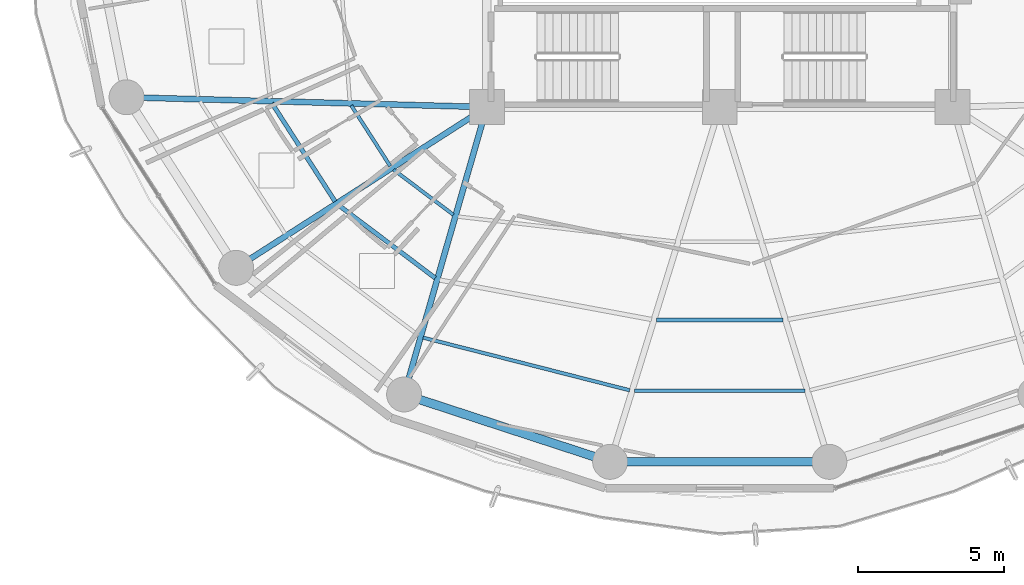
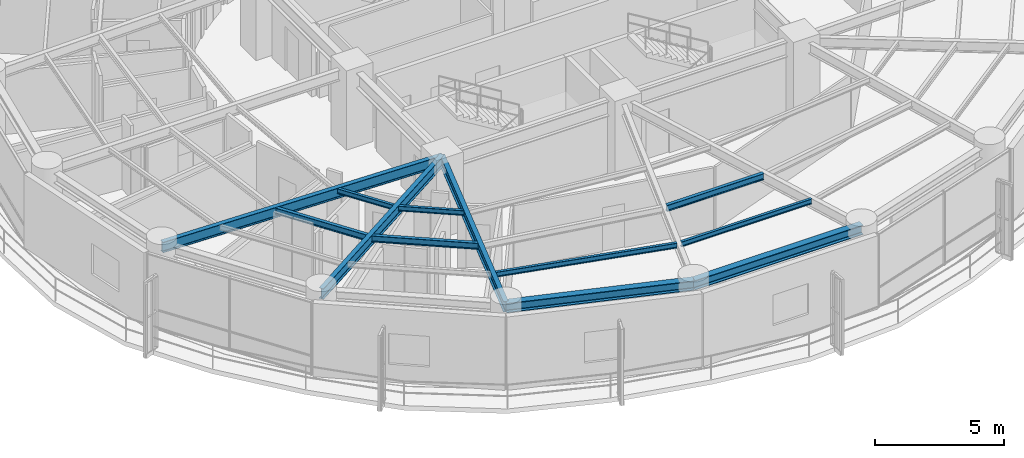
# One storey, part 3 of 27: 12 beams.
"""IFC4 building model written with IfcOpenShell, lengths in metres."""

from ifc_helpers import new_model, si_unit, direction, frame, origin, origin_2d, place, context, subcontext, project, spatial, i_section, extrude, material, material_profile, profile_set, type_object, element, save


model = new_model("IFC4")

# Units and contexts
model_context = context("Model", 3, precision=1e-05, world=origin(), true_north=direction((0.0, 1.0)))
body_context = subcontext(model_context, "Body", "Model", "MODEL_VIEW")
ifc_project = project(units=[si_unit("LENGTHUNIT", "METRE"), si_unit("AREAUNIT", "SQUARE_METRE"), si_unit("VOLUMEUNIT", "CUBIC_METRE"), si_unit("PLANEANGLEUNIT", "RADIAN"), si_unit("MASSUNIT", "GRAM", prefix="KILO")], contexts=[model_context])

# Site, building, storey
site_placement = place(None, origin())
site = spatial("IfcSite", under=ifc_project, at=site_placement, CompositionType="ELEMENT")
building_placement = place(site_placement, origin())
building = spatial("IfcBuilding", under=site, at=building_placement, Name="Kelanora Arch Commons", CompositionType="ELEMENT")
storey_placement = place(building_placement, frame((0.0, 0.0, 173.10009765625)))
storey = spatial("IfcBuildingStorey", under=building, at=storey_placement, Name="L44", CompositionType="ELEMENT", Elevation=173.10009765625)

# Beams
ifc_material = material(Name="Steel S355", Category="steel")
ifc_material_profile_1 = material_profile(ifc_material, i_section(OverallWidth=0.14990234375, OverallDepth=0.300048828125, WebThickness=0.007080078125, FlangeThickness=0.0107421875, FilletRadius=0.014892578125, at=origin_2d()), Name="IPE300")
ifc_profile_set_1 = profile_set([ifc_material_profile_1], Name="Steel S355")
beam_type_1 = type_object("IfcBeamType", Name="BM-JST-01", PredefinedType="JOIST", material=ifc_profile_set_1)
beam_1_placement = place(storey_placement, frame((58.622314453125, 51.130859375, 3.33984375), z_axis=(0.540594434398, -0.841283339606, 0.0), x_axis=(0.841283339606, 0.540594434398, 0.0)))
element("IfcBeam", 1, at=beam_1_placement, inside=storey, type_object=beam_type_1, Name="Secondary Chord Joist BJB-20 L44", PredefinedType="JOIST", context=body_context, shape_type="SweptSolid", body=[
    extrude(i_section(OverallWidth=0.14990234375, OverallDepth=0.300048828125, WebThickness=0.007080078125, FlangeThickness=0.0107421875, FilletRadius=0.014892578125, at=origin_2d()), origin(), (0.0, 0.0, 1.0), 4.008544921875),
])
beam_2_placement = place(storey_placement, frame((60.9033203125, 47.635986328125, 3.33984375), z_axis=(0.798463547891, -0.602043156833, 0.0), x_axis=(0.602043156833, 0.798463547891, 0.0)))
element("IfcBeam", 2, at=beam_2_placement, inside=storey, type_object=beam_type_1, Name="Secondary Chord Joist BJB-22 L44", PredefinedType="JOIST", context=body_context, shape_type="SweptSolid", body=[
    extrude(i_section(OverallWidth=0.14990234375, OverallDepth=0.300048828125, WebThickness=0.007080078125, FlangeThickness=0.0107421875, FilletRadius=0.014892578125, at=origin_2d()), origin(), (0.0, 0.0, 1.0), 4.163818359375),
])
beam_3_placement = place(storey_placement, frame((71.826171875, 43.689453125, 3.33984375), z_axis=(1.0, 0.0, 0.0), x_axis=(0.0, 1.0, 0.0)))
element("IfcBeam", 3, at=beam_3_placement, inside=storey, type_object=beam_type_1, Name="Secondary Chord Joist BJB-26 L44", PredefinedType="JOIST", context=body_context, shape_type="SweptSolid", body=[
    extrude(i_section(OverallWidth=0.14990234375, OverallDepth=0.300048828125, WebThickness=0.007080078125, FlangeThickness=0.0107421875, FilletRadius=0.014892578125, at=origin_2d()), origin(), (0.0, 0.0, 1.0), 4.34765625),
])
ifc_material_profile_2 = material_profile(ifc_material, i_section(OverallWidth=0.1201171875, OverallDepth=0.239990234375, WebThickness=0.006103515625, FlangeThickness=0.009765625, FilletRadius=0.014892578125, at=origin_2d()), Name="IPE240")
ifc_profile_set_2 = profile_set([ifc_material_profile_2], Name="Steel S355")
beam_type_2 = type_object("IfcBeamType", Name="BM-JST-02", PredefinedType="JOIST", material=ifc_profile_set_2)
beam_4_placement = place(storey_placement, frame((61.344482421875, 51.056640625, 3.369873046875), z_axis=(0.540583174025, -0.841290575224, 0.0), x_axis=(0.841290575224, 0.540583174025, 0.0)))
element("IfcBeam", 4, at=beam_4_placement, inside=storey, type_object=beam_type_2, Name="Secondary Chord Joist BJA-20 L44", PredefinedType="JOIST", context=body_context, shape_type="SweptSolid", body=[
    extrude(i_section(OverallWidth=0.1201171875, OverallDepth=0.239990234375, WebThickness=0.006103515625, FlangeThickness=0.009765625, FilletRadius=0.014892578125, at=origin_2d()), origin(), (0.0, 0.0, 1.0), 2.476318359375),
])
beam_5_placement = place(storey_placement, frame((62.796875, 48.8505859375, 3.369873046875), z_axis=(0.798484118859, -0.602015873487, 0.0), x_axis=(0.602015873487, 0.798484118859, 0.0)))
element("IfcBeam", 5, at=beam_5_placement, inside=storey, type_object=beam_type_2, Name="Secondary Chord Joist BJA-22 L44", PredefinedType="JOIST", context=body_context, shape_type="SweptSolid", body=[
    extrude(i_section(OverallWidth=0.1201171875, OverallDepth=0.239990234375, WebThickness=0.006103515625, FlangeThickness=0.009765625, FilletRadius=0.014892578125, at=origin_2d()), origin(), (0.0, 0.0, 1.0), 2.57470703125),
])
beam_6_placement = place(storey_placement, frame((63.810302734375, 43.082763671875, 3.369873046875), z_axis=(0.96900232943, -0.247051584815, 0.0), x_axis=(0.247051584815, 0.96900232943, 0.0)))
element("IfcBeam", 6, at=beam_6_placement, inside=storey, type_object=beam_type_2, Name="Secondary Chord Joist BJC-24 L44", PredefinedType="JOIST", context=body_context, shape_type="SweptSolid", body=[
    extrude(i_section(OverallWidth=0.1201171875, OverallDepth=0.239990234375, WebThickness=0.006103515625, FlangeThickness=0.009765625, FilletRadius=0.014892578125, at=origin_2d()), origin(), (0.0, 0.0, 1.0), 7.32275390625),
])
beam_7_placement = place(storey_placement, frame((71.0732421875, 41.252685546875, 3.369873046875), z_axis=(1.0, 0.0, 0.0), x_axis=(0.0, 1.0, 0.0)))
element("IfcBeam", 7, at=beam_7_placement, inside=storey, type_object=beam_type_2, Name="Secondary Chord Joist BJC-26 L44", PredefinedType="JOIST", context=body_context, shape_type="SweptSolid", body=[
    extrude(i_section(OverallWidth=0.1201171875, OverallDepth=0.239990234375, WebThickness=0.006103515625, FlangeThickness=0.009765625, FilletRadius=0.014892578125, at=origin_2d()), origin(), (0.0, 0.0, 1.0), 5.853515625),
])
ifc_material_profile_3 = material_profile(ifc_material, i_section(OverallWidth=0.199951171875, OverallDepth=0.5, WebThickness=0.01025390625, FlangeThickness=0.01611328125, FilletRadius=0.02099609375, at=origin_2d()), Name="IPE500")
ifc_profile_set_3 = profile_set([ifc_material_profile_3], Name="Steel S355")
beam_type_3 = type_object("IfcBeamType", Name="BM-RAD-Z3", PredefinedType="BEAM", material=ifc_profile_set_3)
beam_8_placement = place(storey_placement, frame((66.0, 51.0, 3.239990234375), z_axis=(-0.999628374924, 0.027260081577, 0.0), x_axis=(-0.027260081577, -0.999628374924, 0.0)))
element("IfcBeam", 8, at=beam_8_placement, inside=storey, type_object=beam_type_3, Name="Radial Floor Girder BR-20 L44", PredefinedType="BEAM", context=body_context, shape_type="SweptSolid", body=[
    extrude(i_section(OverallWidth=0.199951171875, OverallDepth=0.5, WebThickness=0.01025390625, FlangeThickness=0.01611328125, FilletRadius=0.02099609375, at=origin_2d()), origin(), (0.0, 0.0, 1.0), 12.377197265625),
])
beam_9_placement = place(storey_placement, frame((66.0, 51.0, 3.239990234375), z_axis=(-0.841719465748, -0.539915123868, 0.0), x_axis=(0.539915123868, -0.841719465748, 0.0)))
element("IfcBeam", 9, at=beam_9_placement, inside=storey, type_object=beam_type_3, Name="Radial Floor Girder BR-22 L44", PredefinedType="BEAM", context=body_context, shape_type="SweptSolid", body=[
    extrude(i_section(OverallWidth=0.199951171875, OverallDepth=0.5, WebThickness=0.01025390625, FlangeThickness=0.01611328125, FilletRadius=0.02099609375, at=origin_2d()), origin(), (0.0, 0.0, 1.0), 10.2265625),
])
beam_10_placement = place(storey_placement, frame((66.0, 51.0, 3.239990234375), z_axis=(-0.276525880065, -0.961006471182, 0.0), x_axis=(0.961006471182, -0.276525880065, 0.0)))
element("IfcBeam", 10, at=beam_10_placement, inside=storey, type_object=beam_type_3, Name="Radial Floor Girder BR-24 L44", PredefinedType="BEAM", context=body_context, shape_type="SweptSolid", body=[
    extrude(i_section(OverallWidth=0.199951171875, OverallDepth=0.5, WebThickness=0.01025390625, FlangeThickness=0.01611328125, FilletRadius=0.02099609375, at=origin_2d()), origin(), (0.0, 0.0, 1.0), 10.2705078125),
])
ifc_material_profile_4 = material_profile(ifc_material, i_section(OverallWidth=0.300048828125, OverallDepth=0.449951171875, WebThickness=0.013916015625, FlangeThickness=0.02587890625, FilletRadius=0.027099609375, at=origin_2d()), Name="HEB450")
ifc_profile_set_4 = profile_set([ifc_material_profile_4], Name="Steel S355")
beam_type_4 = type_object("IfcBeamType", Name="BM-SPN-Z3", PredefinedType="SPANDREL", material=ifc_profile_set_4)
beam_11_placement = place(storey_placement, frame((63.159912109375, 41.1298828125, 3.264892578125), z_axis=(0.950461975786, -0.310840847676, 0.0), x_axis=(0.310840847676, 0.950461975786, 0.0)))
element("IfcBeam", 11, at=beam_11_placement, inside=storey, type_object=beam_type_4, Name="Perimeter Spandrel Beam BS-24 L44", PredefinedType="SPANDREL", context=body_context, shape_type="SweptSolid", body=[
    extrude(i_section(OverallWidth=0.300048828125, OverallDepth=0.449951171875, WebThickness=0.013916015625, FlangeThickness=0.02587890625, FilletRadius=0.027099609375, at=origin_2d()), origin(), (0.0, 0.0, 1.0), 7.444091796875),
])
beam_12_placement = place(storey_placement, frame((70.2353515625, 38.81591796875, 3.264892578125), z_axis=(1.0, 0.0, 0.0), x_axis=(0.0, 1.0, 0.0)))
element("IfcBeam", 12, at=beam_12_placement, inside=storey, type_object=beam_type_4, Name="Perimeter Spandrel Beam BS-26 L44", PredefinedType="SPANDREL", context=body_context, shape_type="SweptSolid", body=[
    extrude(i_section(OverallWidth=0.300048828125, OverallDepth=0.449951171875, WebThickness=0.013916015625, FlangeThickness=0.02587890625, FilletRadius=0.027099609375, at=origin_2d()), origin(), (0.0, 0.0, 1.0), 7.529296875),
])

save(model, "model.ifc")
